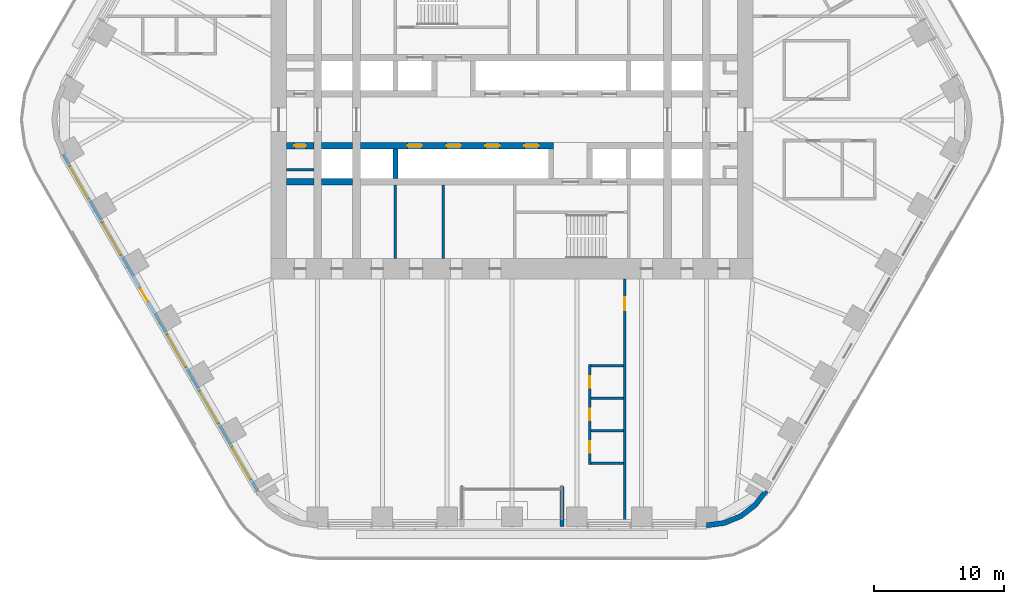
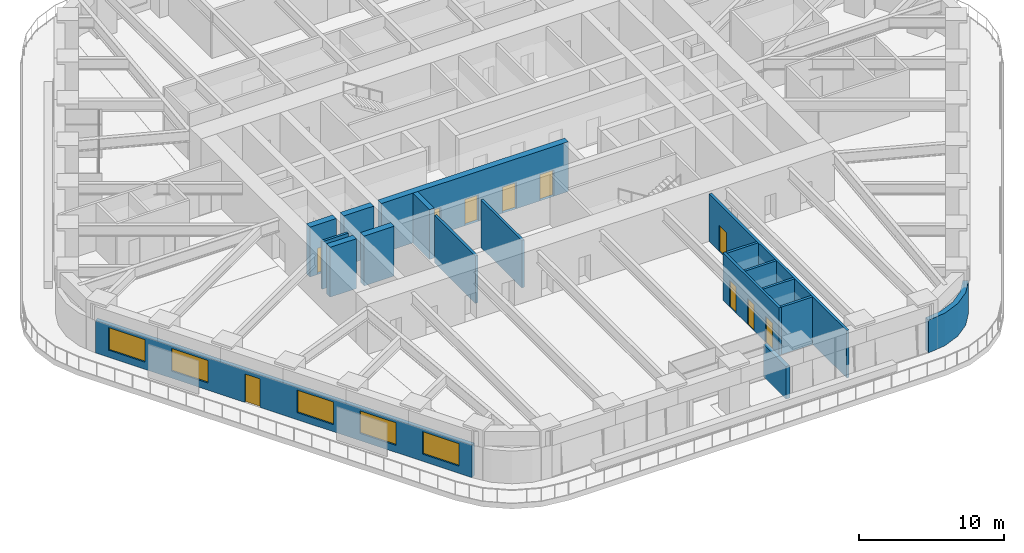
# One storey, part 17 of 24: 18 walls, 10 doors, 5 windows, 15 openings.
"""IFC4 building model written with IfcOpenShell, lengths in metres."""

from ifc_helpers import new_model, si_unit, direction, frame, frame_2d, origin, place, context, subcontext, project, spatial, polyline, rectangle, outline, extrude, material, layer, layer_set, type_object, element, fill, save


model = new_model("IFC4")

# Units and contexts
model_context = context("Model", 3, precision=1e-05, world=origin(), true_north=direction((0.0, 1.0)))
body_context = subcontext(model_context, "Body", "Model", "MODEL_VIEW")
ifc_project = project(units=[si_unit("LENGTHUNIT", "METRE"), si_unit("AREAUNIT", "SQUARE_METRE"), si_unit("VOLUMEUNIT", "CUBIC_METRE"), si_unit("PLANEANGLEUNIT", "RADIAN"), si_unit("MASSUNIT", "GRAM", prefix="KILO")], contexts=[model_context])

# Site, building, storey
site_placement = place(None, origin())
site = spatial("IfcSite", under=ifc_project, at=site_placement, CompositionType="ELEMENT")
building_placement = place(site_placement, origin())
building = spatial("IfcBuilding", under=site, at=building_placement, Name="Tarfa Lantern Tower", CompositionType="ELEMENT")
storey_placement = place(building_placement, frame((0.0, 0.0, 144.699951171875)))
storey = spatial("IfcBuildingStorey", under=building, at=storey_placement, Name="L32", CompositionType="ELEMENT", Elevation=144.699951171875)

# Wall, openings, door, windows
ifc_material_1 = material(Name="Limestone cladding on blockwork", Category="masonry")
ifc_layer_1 = layer(ifc_material_1, 0.300048828125)
ifc_layer_set_1 = layer_set([ifc_layer_1], Name="EW1 STONE-CLAD WALL 300")
wall_type_1 = type_object("IfcWallType", Name="EW1 STONE-CLAD WALL 300", PredefinedType="SOLIDWALL", material=ifc_layer_set_1)
wall_1_placement = place(storey_placement, frame((-34.655517578125, -2.675048828125, 0.0), z_axis=(0.0, 0.0, 1.0), x_axis=(0.500003084452, -0.866023622968, 0.0)))
wall_1 = element("IfcWall", 1, at=wall_1_placement, inside=storey, type_object=wall_type_1, Name="Stone wall SW", PredefinedType="SOLIDWALL", context=body_context, shape_type="SweptSolid", body=[
    extrude(rectangle(XDim=30.022216796875, YDim=0.300048828125, at=frame_2d((15.01123046875, 0.0))), origin(), (0.0, 0.0, 1.0), 2.75),
])
opening_1_placement = place(wall_1_placement, frame((1.0517578125, 0.0, 0.60009765625)))
opening_1 = element("IfcOpeningElement", 2, at=opening_1_placement, cuts=wall_1, Name="Opening W9", PredefinedType="OPENING", context=body_context, shape_type="SweptSolid", body=[
    extrude(rectangle(XDim=2.89990234375, YDim=1.89990234375, at=frame_2d((1.449951171875, 0.949951171875))), frame((0.0, 0.159912109375, 0.0), z_axis=(0.0, -1.0, 0.0), x_axis=(1.0, 0.0, 0.0)), (0.0, 0.0, 1.0), 0.320068359375),
])
opening_2_placement = place(wall_1_placement, frame((6.0556640625, 0.0, 0.60009765625)))
opening_2 = element("IfcOpeningElement", 3, at=opening_2_placement, cuts=wall_1, Name="Opening W9", PredefinedType="OPENING", context=body_context, shape_type="SweptSolid", body=[
    extrude(rectangle(XDim=2.89990234375, YDim=1.89990234375, at=frame_2d((1.449951171875, 0.949951171875))), frame((0.0, 0.159912109375, 0.0), z_axis=(0.0, -1.0, 0.0), x_axis=(1.0, 0.0, 0.0)), (0.0, 0.0, 1.0), 0.320068359375),
])
opening_3_placement = place(wall_1_placement, frame((11.9091796875, 0.0, 0.0)))
opening_3 = element("IfcOpeningElement", 4, at=opening_3_placement, cuts=wall_1, Name="Opening D51", PredefinedType="OPENING", context=body_context, shape_type="SweptSolid", body=[
    extrude(rectangle(XDim=1.199951171875, YDim=2.39990234375, at=frame_2d((0.60009765625, 1.199951171875))), frame((0.0, 0.159912109375, 0.0), z_axis=(0.0, -1.0, 0.0), x_axis=(1.0, 0.0, 0.0)), (0.0, 0.0, 1.0), 0.320068359375),
])
opening_4_placement = place(wall_1_placement, frame((16.06298828125, 0.0, 0.60009765625)))
opening_4 = element("IfcOpeningElement", 5, at=opening_4_placement, cuts=wall_1, Name="Opening W9", PredefinedType="OPENING", context=body_context, shape_type="SweptSolid", body=[
    extrude(rectangle(XDim=2.89990234375, YDim=1.89990234375, at=frame_2d((1.449951171875, 0.949951171875))), frame((0.0, 0.159912109375, 0.0), z_axis=(0.0, -1.0, 0.0), x_axis=(1.0, 0.0, 0.0)), (0.0, 0.0, 1.0), 0.320068359375),
])
opening_5_placement = place(wall_1_placement, frame((21.066650390625, 0.0, 0.60009765625)))
opening_5 = element("IfcOpeningElement", 6, at=opening_5_placement, cuts=wall_1, Name="Opening W9", PredefinedType="OPENING", context=body_context, shape_type="SweptSolid", body=[
    extrude(rectangle(XDim=2.89990234375, YDim=1.89990234375, at=frame_2d((1.449951171875, 0.949951171875))), frame((0.0, 0.159912109375, 0.0), z_axis=(0.0, -1.0, 0.0), x_axis=(1.0, 0.0, 0.0)), (0.0, 0.0, 1.0), 0.320068359375),
])
opening_6_placement = place(wall_1_placement, frame((26.0703125, 0.0, 0.60009765625)))
opening_6 = element("IfcOpeningElement", 7, at=opening_6_placement, cuts=wall_1, Name="Opening W9", PredefinedType="OPENING", context=body_context, shape_type="SweptSolid", body=[
    extrude(rectangle(XDim=2.89990234375, YDim=1.89990234375, at=frame_2d((1.449951171875, 0.949951171875))), frame((0.0, 0.159912109375, 0.0), z_axis=(0.0, -1.0, 0.0), x_axis=(1.0, 0.0, 0.0)), (0.0, 0.0, 1.0), 0.320068359375),
])
ifc_material_2 = material(Name="Aluminium framed glazed door", Category="aluminium")
door_type_1 = type_object("IfcDoorType", Name="BE3 BALCONY DOOR 1200x2400", OperationType="SINGLE_SWING_RIGHT", PredefinedType="DOOR", material=ifc_material_2)
door_1_placement = place(opening_3_placement, origin())
door_1 = element("IfcDoor", 8, at=door_1_placement, inside=storey, type_object=door_type_1, Name="Balcony door SW", OperationType="SINGLE_SWING_RIGHT", OverallHeight=2.39990234375, OverallWidth=1.199951171875, PredefinedType="DOOR", context=body_context, shape_type="SweptSolid", body=[
    extrude(rectangle(XDim=1.199951171875, YDim=2.39990234375, at=frame_2d((0.60009765625, 1.199951171875))), frame((0.0, 0.02490234375, 0.0), z_axis=(0.0, -1.0, 0.0), x_axis=(1.0, 0.0, 0.0)), (0.0, 0.0, 1.0), 0.050048828125),
])
fill(opening_3, door_1)
ifc_material_3 = material(Name="Aluminium frame, double glazed", Category="aluminium")
window_type = type_object("IfcWindowType", Name="W9 FULL-HEIGHT GLAZING 2900x1900", PartitioningType="SINGLE_PANEL", PredefinedType="WINDOW", material=ifc_material_3)
window_1_placement = place(opening_1_placement, origin())
window_1 = element("IfcWindow", 9, at=window_1_placement, inside=storey, type_object=window_type, Name="Window SW 1", OverallHeight=1.89990234375, OverallWidth=2.89990234375, PartitioningType="SINGLE_PANEL", PredefinedType="WINDOW", context=body_context, shape_type="SweptSolid", body=[
    extrude(rectangle(XDim=2.89990234375, YDim=1.89990234375, at=frame_2d((1.449951171875, 0.949951171875))), frame((0.0, 0.030029296875, 0.0), z_axis=(0.0, -1.0, 0.0), x_axis=(1.0, 0.0, 0.0)), (0.0, 0.0, 1.0), 0.06005859375),
])
fill(opening_1, window_1)
window_2_placement = place(opening_2_placement, origin())
window_2 = element("IfcWindow", 10, at=window_2_placement, inside=storey, type_object=window_type, Name="Window SW 2", OverallHeight=1.89990234375, OverallWidth=2.89990234375, PartitioningType="SINGLE_PANEL", PredefinedType="WINDOW", context=body_context, shape_type="SweptSolid", body=[
    extrude(rectangle(XDim=2.89990234375, YDim=1.89990234375, at=frame_2d((1.449951171875, 0.949951171875))), frame((0.0, 0.030029296875, 0.0), z_axis=(0.0, -1.0, 0.0), x_axis=(1.0, 0.0, 0.0)), (0.0, 0.0, 1.0), 0.06005859375),
])
fill(opening_2, window_2)
window_3_placement = place(opening_4_placement, origin())
window_3 = element("IfcWindow", 11, at=window_3_placement, inside=storey, type_object=window_type, Name="Window SW 4", OverallHeight=1.89990234375, OverallWidth=2.89990234375, PartitioningType="SINGLE_PANEL", PredefinedType="WINDOW", context=body_context, shape_type="SweptSolid", body=[
    extrude(rectangle(XDim=2.89990234375, YDim=1.89990234375, at=frame_2d((1.449951171875, 0.949951171875))), frame((0.0, 0.030029296875, 0.0), z_axis=(0.0, -1.0, 0.0), x_axis=(1.0, 0.0, 0.0)), (0.0, 0.0, 1.0), 0.06005859375),
])
fill(opening_4, window_3)
window_4_placement = place(opening_5_placement, origin())
window_4 = element("IfcWindow", 12, at=window_4_placement, inside=storey, type_object=window_type, Name="Window SW 5", OverallHeight=1.89990234375, OverallWidth=2.89990234375, PartitioningType="SINGLE_PANEL", PredefinedType="WINDOW", context=body_context, shape_type="SweptSolid", body=[
    extrude(rectangle(XDim=2.89990234375, YDim=1.89990234375, at=frame_2d((1.449951171875, 0.949951171875))), frame((0.0, 0.030029296875, 0.0), z_axis=(0.0, -1.0, 0.0), x_axis=(1.0, 0.0, 0.0)), (0.0, 0.0, 1.0), 0.06005859375),
])
fill(opening_5, window_4)
window_5_placement = place(opening_6_placement, origin())
window_5 = element("IfcWindow", 13, at=window_5_placement, inside=storey, type_object=window_type, Name="Window SW 6", OverallHeight=1.89990234375, OverallWidth=2.89990234375, PartitioningType="SINGLE_PANEL", PredefinedType="WINDOW", context=body_context, shape_type="SweptSolid", body=[
    extrude(rectangle(XDim=2.89990234375, YDim=1.89990234375, at=frame_2d((1.449951171875, 0.949951171875))), frame((0.0, 0.030029296875, 0.0), z_axis=(0.0, -1.0, 0.0), x_axis=(1.0, 0.0, 0.0)), (0.0, 0.0, 1.0), 0.06005859375),
])
fill(opening_6, window_5)

# Walls
wall_2_placement = place(storey_placement, frame((3.853759765625, -31.39990234375, 0.0), z_axis=(0.0, 0.0, 1.0), x_axis=(0.0, 1.0, 0.0)))
element("IfcWall", 14, at=wall_2_placement, inside=storey, type_object=wall_type_1, Name="Loggia return S 2", PredefinedType="SOLIDWALL", context=body_context, shape_type="SweptSolid", body=[
    extrude(rectangle(XDim=3.099853515625, YDim=0.300048828125, at=frame_2d((1.5498046875, 0.0))), origin(), (0.0, 0.0, 1.0), 2.75),
])
ifc_layer_2 = layer(ifc_material_1, 0.39990234375)
ifc_layer_set_2 = layer_set([ifc_layer_2], Name="EW2 CURVED STONE CORNER 400")
wall_type_2 = type_object("IfcWallType", Name="EW2 CURVED STONE CORNER 400", PredefinedType="SOLIDWALL", material=ifc_layer_set_2)
wall_3_placement = place(storey_placement, origin())
element("IfcWall", 15, at=wall_3_placement, inside=storey, type_object=wall_type_2, Name="Stone corner S-SE", PredefinedType="SOLIDWALL", context=body_context, shape_type="SweptSolid", body=[
    extrude(outline(polyline([(15.010986328125, -31.5), (16.4345703125, -31.3125), (17.760986328125, -30.76318359375), (18.900146484375, -29.88916015625), (19.774169921875, -28.75), (19.427734375, -28.550048828125), (18.617431640625, -29.606201171875), (17.56103515625, -30.416748046875), (16.3310546875, -30.92626953125), (15.010986328125, -31.10009765625), (15.010986328125, -31.5)])), origin(), (0.0, 0.0, 1.0), 2.75),
])
ifc_material_4 = material(Name="Concrete blockwork", Category="masonry")
ifc_layer_3 = layer(ifc_material_4, 0.199951171875)
ifc_layer_set_3 = layer_set([ifc_layer_3], Name="IW1 BLOCKWORK PARTITION 200 EI 120")
wall_type_3 = type_object("IfcWallType", Name="IW1 BLOCKWORK PARTITION 200 EI 120", PredefinedType="PARTITIONING", material=ifc_layer_set_3)
for number, where, z_axis, x_axis, name in (
    (16, (-9.0, -5.050048828125, 0.0), (0.0, 0.0, 1.0), (0.0, -1.0, 0.0), "Core partition"),
    (17, (-5.300048828125, -5.050048828125, 0.0), (0.0, 0.0, 1.0), (0.0, -1.0, 0.0), "Core partition"),
):
    element("IfcWall", number, at=place(storey_placement, frame(where, z_axis=z_axis, x_axis=x_axis)), inside=storey, type_object=wall_type_3, Name=name, PredefinedType="PARTITIONING", context=body_context, shape_type="SweptSolid", body=[
        extrude(rectangle(XDim=5.64990234375, YDim=0.199951171875, at=frame_2d((2.824951171875, 0.0))), origin(), (0.0, 0.0, 1.0), 4.0),
    ])
wall_4_placement = place(storey_placement, frame((-15.300048828125, -3.85009765625, 0.0), z_axis=(0.0, 0.0, 1.0), x_axis=(-1.0, 0.0, 0.0)))
element("IfcWall", 18, at=wall_4_placement, inside=storey, type_object=wall_type_3, Name="Core partition", PredefinedType="PARTITIONING", context=body_context, shape_type="SweptSolid", body=[
    extrude(rectangle(XDim=2.099853515625, YDim=0.199951171875, at=frame_2d((1.0498046875, 0.0))), origin(), (0.0, 0.0, 1.0), 4.0),
])

# Wall, opening, door
ifc_material_5 = material(Name="Gypsum board on steel studs", Category="steel")
ifc_layer_4 = layer(ifc_material_5, 0.2099609375)
ifc_layer_set_4 = layer_set([ifc_layer_4], Name="IW2 ACOUSTIC PARTITION 200")
wall_type_4 = type_object("IfcWallType", Name="IW2 ACOUSTIC PARTITION 200", PredefinedType="PARTITIONING", material=ifc_layer_set_4)
wall_5_placement = place(storey_placement, frame((8.699951171875, -12.300048828125, 0.0), z_axis=(0.0, 0.0, 1.0), x_axis=(0.0, -1.0, 0.0)))
wall_5 = element("IfcWall", 19, at=wall_5_placement, inside=storey, type_object=wall_type_4, Name="Partition", PredefinedType="PARTITIONING", context=body_context, shape_type="SweptSolid", body=[
    extrude(rectangle(XDim=19.0, YDim=0.199951171875, at=frame_2d((9.5, 0.0))), origin(), (0.0, 0.0, 1.0), 4.0),
])
opening_7_placement = place(wall_5_placement, frame((1.39990234375, 0.0, 0.0)))
opening_7 = element("IfcOpeningElement", 20, at=opening_7_placement, cuts=wall_5, Name="Opening D47", PredefinedType="OPENING", context=body_context, shape_type="SweptSolid", body=[
    extrude(rectangle(XDim=1.0, YDim=2.199951171875, at=frame_2d((0.5, 1.10009765625))), frame((0.0, 0.10986328125, 0.0), z_axis=(0.0, -1.0, 0.0), x_axis=(1.0, 0.0, 0.0)), (0.0, 0.0, 1.0), 0.219970703125),
])
ifc_material_6 = material(Name="Timber door", Category="wood")
door_type_2 = type_object("IfcDoorType", Name="DR1 ROOM DOOR 1000x2200", OperationType="SINGLE_SWING_LEFT", PredefinedType="DOOR", material=ifc_material_6)
door_2_placement = place(opening_7_placement, origin())
door_2 = element("IfcDoor", 21, at=door_2_placement, inside=storey, type_object=door_type_2, Name="Zone door", OperationType="SINGLE_SWING_RIGHT", OverallHeight=2.199951171875, OverallWidth=1.0, PredefinedType="DOOR", context=body_context, shape_type="SweptSolid", body=[
    extrude(rectangle(XDim=1.0, YDim=2.199951171875, at=frame_2d((0.5, 1.10009765625))), frame((0.0, 0.02490234375, 0.0), z_axis=(0.0, -1.0, 0.0), x_axis=(1.0, 0.0, 0.0)), (0.0, 0.0, 1.0), 0.050048828125),
])
fill(opening_7, door_2)

# Wall, openings, doors
wall_6_placement = place(storey_placement, frame((6.0, -18.89990234375, 0.0), z_axis=(0.0, 0.0, 1.0), x_axis=(0.0, -1.0, 0.0)))
wall_6 = element("IfcWall", 22, at=wall_6_placement, inside=storey, type_object=wall_type_4, Name="Partition", PredefinedType="PARTITIONING", context=body_context, shape_type="SweptSolid", body=[
    extrude(rectangle(XDim=7.7001953125, YDim=0.199951171875, at=frame_2d((3.85009765625, 0.0))), origin(), (0.0, 0.0, 1.0), 4.0),
])
opening_8_placement = place(wall_6_placement, frame((0.89990234375, 0.0, 0.0)))
opening_8 = element("IfcOpeningElement", 23, at=opening_8_placement, cuts=wall_6, Name="Opening D43", PredefinedType="OPENING", context=body_context, shape_type="SweptSolid", body=[
    extrude(rectangle(XDim=0.89990234375, YDim=2.199951171875, at=frame_2d((0.449951171875, 1.10009765625))), frame((0.0, 0.10986328125, 0.0), z_axis=(0.0, -1.0, 0.0), x_axis=(1.0, 0.0, 0.0)), (0.0, 0.0, 1.0), 0.219970703125),
])
opening_9_placement = place(wall_6_placement, frame((3.39990234375, 0.0, 0.0)))
opening_9 = element("IfcOpeningElement", 24, at=opening_9_placement, cuts=wall_6, Name="Opening D44", PredefinedType="OPENING", context=body_context, shape_type="SweptSolid", body=[
    extrude(rectangle(XDim=0.89990234375, YDim=2.199951171875, at=frame_2d((0.449951171875, 1.10009765625))), frame((0.0, 0.10986328125, 0.0), z_axis=(0.0, -1.0, 0.0), x_axis=(1.0, 0.0, 0.0)), (0.0, 0.0, 1.0), 0.219970703125),
])
opening_10_placement = place(wall_6_placement, frame((5.89990234375, 0.0, 0.0)))
opening_10 = element("IfcOpeningElement", 25, at=opening_10_placement, cuts=wall_6, Name="Opening D45", PredefinedType="OPENING", context=body_context, shape_type="SweptSolid", body=[
    extrude(rectangle(XDim=0.89990234375, YDim=2.199951171875, at=frame_2d((0.449951171875, 1.10009765625))), frame((0.0, 0.10986328125, 0.0), z_axis=(0.0, -1.0, 0.0), x_axis=(1.0, 0.0, 0.0)), (0.0, 0.0, 1.0), 0.219970703125),
])
door_type_3 = type_object("IfcDoorType", Name="DR3 ROOM DOOR 900x2200", OperationType="SINGLE_SWING_LEFT", PredefinedType="DOOR", material=ifc_material_6)
door_3_placement = place(opening_8_placement, origin())
door_3 = element("IfcDoor", 26, at=door_3_placement, inside=storey, type_object=door_type_3, Name="Focus room door", OperationType="SINGLE_SWING_RIGHT", OverallHeight=2.199951171875, OverallWidth=0.89990234375, PredefinedType="DOOR", context=body_context, shape_type="SweptSolid", body=[
    extrude(rectangle(XDim=0.89990234375, YDim=2.199951171875, at=frame_2d((0.449951171875, 1.10009765625))), frame((0.0, 0.02490234375, 0.0), z_axis=(0.0, -1.0, 0.0), x_axis=(1.0, 0.0, 0.0)), (0.0, 0.0, 1.0), 0.050048828125),
])
fill(opening_8, door_3)
door_4_placement = place(opening_9_placement, origin())
door_4 = element("IfcDoor", 27, at=door_4_placement, inside=storey, type_object=door_type_3, Name="Focus room door", OperationType="SINGLE_SWING_RIGHT", OverallHeight=2.199951171875, OverallWidth=0.89990234375, PredefinedType="DOOR", context=body_context, shape_type="SweptSolid", body=[
    extrude(rectangle(XDim=0.89990234375, YDim=2.199951171875, at=frame_2d((0.449951171875, 1.10009765625))), frame((0.0, 0.02490234375, 0.0), z_axis=(0.0, -1.0, 0.0), x_axis=(1.0, 0.0, 0.0)), (0.0, 0.0, 1.0), 0.050048828125),
])
fill(opening_9, door_4)
door_5_placement = place(opening_10_placement, origin())
door_5 = element("IfcDoor", 28, at=door_5_placement, inside=storey, type_object=door_type_3, Name="Focus room door", OperationType="SINGLE_SWING_LEFT", OverallHeight=2.199951171875, OverallWidth=0.89990234375, PredefinedType="DOOR", context=body_context, shape_type="SweptSolid", body=[
    extrude(rectangle(XDim=0.89990234375, YDim=2.199951171875, at=frame_2d((0.449951171875, 1.10009765625))), frame((0.0, 0.02490234375, 0.0), z_axis=(0.0, -1.0, 0.0), x_axis=(1.0, 0.0, 0.0)), (0.0, 0.0, 1.0), 0.050048828125),
])
fill(opening_10, door_5)

# Walls
for number, where, z_axis, x_axis, name in (
    (29, (8.60009765625, -19.0, 0.0), (0.0, 0.0, 1.0), (-1.0, 0.0, 0.0), "Partition"),
    (30, (8.60009765625, -21.5, 0.0), (0.0, 0.0, 1.0), (-1.0, 0.0, 0.0), "Partition"),
    (31, (8.60009765625, -24.0, 0.0), (0.0, 0.0, 1.0), (-1.0, 0.0, 0.0), "Partition"),
    (32, (8.60009765625, -26.5, 0.0), (0.0, 0.0, 1.0), (-1.0, 0.0, 0.0), "Partition"),
):
    element("IfcWall", number, at=place(storey_placement, frame(where, z_axis=z_axis, x_axis=x_axis)), inside=storey, type_object=wall_type_4, Name=name, PredefinedType="PARTITIONING", context=body_context, shape_type="SweptSolid", body=[
        extrude(rectangle(XDim=2.5, YDim=0.199951171875, at=frame_2d((1.25, 0.0))), origin(), (0.0, 0.0, 1.0), 4.0),
    ])

# Wall, openings, doors
ifc_material_7 = material(Name="Concrete C80/95", Category="concrete")
ifc_layer_5 = layer(ifc_material_7, 0.5)
ifc_layer_set_5 = layer_set([ifc_layer_5], Name="SW5 CORE WALL 500")
wall_type_5 = type_object("IfcWallType", Name="SW5 CORE WALL 500", PredefinedType="SHEAR", material=ifc_layer_set_5)
wall_7_placement = place(storey_placement, frame((3.199951171875, -2.0, 0.0), z_axis=(0.0, 0.0, 1.0), x_axis=(-1.0, 0.0, 0.0)))
wall_7 = element("IfcWall", 33, at=wall_7_placement, inside=storey, type_object=wall_type_5, Name="Core wall lobby east S", PredefinedType="SHEAR", context=body_context, shape_type="SweptSolid", body=[
    extrude(rectangle(XDim=14.89990234375, YDim=0.5, at=frame_2d((7.449951171875, 0.0))), origin(), (0.0, 0.0, 1.0), 4.199951171875),
])
opening_11_placement = place(wall_7_placement, frame((1.14990234375, 0.0, 0.0)))
opening_11 = element("IfcOpeningElement", 34, at=opening_11_placement, cuts=wall_7, Name="Opening LD07", PredefinedType="OPENING", context=body_context, shape_type="SweptSolid", body=[
    extrude(rectangle(XDim=1.10009765625, YDim=2.199951171875, at=frame_2d((0.550048828125, 1.10009765625))), frame((0.0, 0.260009765625, 0.0), z_axis=(0.0, -1.0, 0.0), x_axis=(1.0, 0.0, 0.0)), (0.0, 0.0, 1.0), 0.52001953125),
])
opening_12_placement = place(wall_7_placement, frame((4.14990234375, 0.0, 0.0)))
opening_12 = element("IfcOpeningElement", 35, at=opening_12_placement, cuts=wall_7, Name="Opening LD08", PredefinedType="OPENING", context=body_context, shape_type="SweptSolid", body=[
    extrude(rectangle(XDim=1.10009765625, YDim=2.199951171875, at=frame_2d((0.550048828125, 1.10009765625))), frame((0.0, 0.260009765625, 0.0), z_axis=(0.0, -1.0, 0.0), x_axis=(1.0, 0.0, 0.0)), (0.0, 0.0, 1.0), 0.52001953125),
])
opening_13_placement = place(wall_7_placement, frame((7.14990234375, 0.0, 0.0)))
opening_13 = element("IfcOpeningElement", 36, at=opening_13_placement, cuts=wall_7, Name="Opening LD09", PredefinedType="OPENING", context=body_context, shape_type="SweptSolid", body=[
    extrude(rectangle(XDim=1.10009765625, YDim=2.199951171875, at=frame_2d((0.550048828125, 1.10009765625))), frame((0.0, 0.260009765625, 0.0), z_axis=(0.0, -1.0, 0.0), x_axis=(1.0, 0.0, 0.0)), (0.0, 0.0, 1.0), 0.52001953125),
])
opening_14_placement = place(wall_7_placement, frame((10.14990234375, 0.0, 0.0)))
opening_14 = element("IfcOpeningElement", 37, at=opening_14_placement, cuts=wall_7, Name="Opening LD10", PredefinedType="OPENING", context=body_context, shape_type="SweptSolid", body=[
    extrude(rectangle(XDim=1.10009765625, YDim=2.199951171875, at=frame_2d((0.550048828125, 1.10009765625))), frame((0.0, 0.260009765625, 0.0), z_axis=(0.0, -1.0, 0.0), x_axis=(1.0, 0.0, 0.0)), (0.0, 0.0, 1.0), 0.52001953125),
])
ifc_material_8 = material(Name="Stainless steel lift door", Category="steel")
door_type_4 = type_object("IfcDoorType", Name="LD2 LIFT LANDING DOOR 1100x2200", OperationType="SLIDING_TO_LEFT", PredefinedType="DOOR", material=ifc_material_8)
door_6_placement = place(opening_11_placement, frame((1.10009765625, 0.0, 0.0), z_axis=(0.0, 0.0, 1.0), x_axis=(-1.0, 0.0, 0.0)))
door_6 = element("IfcDoor", 38, at=door_6_placement, inside=storey, type_object=door_type_4, Name="Landing door PB5", OperationType="SLIDING_TO_LEFT", OverallHeight=2.199951171875, OverallWidth=1.10009765625, PredefinedType="DOOR", context=body_context, shape_type="SweptSolid", body=[
    extrude(rectangle(XDim=1.10009765625, YDim=2.199951171875, at=frame_2d((0.550048828125, 1.10009765625))), frame((0.0, 0.02490234375, 0.0), z_axis=(0.0, -1.0, 0.0), x_axis=(1.0, 0.0, 0.0)), (0.0, 0.0, 1.0), 0.050048828125),
])
fill(opening_11, door_6)
door_7_placement = place(opening_12_placement, frame((1.10009765625, 0.0, 0.0), z_axis=(0.0, 0.0, 1.0), x_axis=(-1.0, 0.0, 0.0)))
door_7 = element("IfcDoor", 39, at=door_7_placement, inside=storey, type_object=door_type_4, Name="Landing door PB6", OperationType="SLIDING_TO_LEFT", OverallHeight=2.199951171875, OverallWidth=1.10009765625, PredefinedType="DOOR", context=body_context, shape_type="SweptSolid", body=[
    extrude(rectangle(XDim=1.10009765625, YDim=2.199951171875, at=frame_2d((0.550048828125, 1.10009765625))), frame((0.0, 0.02490234375, 0.0), z_axis=(0.0, -1.0, 0.0), x_axis=(1.0, 0.0, 0.0)), (0.0, 0.0, 1.0), 0.050048828125),
])
fill(opening_12, door_7)
door_8_placement = place(opening_13_placement, frame((1.10009765625, 0.0, 0.0), z_axis=(0.0, 0.0, 1.0), x_axis=(-1.0, 0.0, 0.0)))
door_8 = element("IfcDoor", 40, at=door_8_placement, inside=storey, type_object=door_type_4, Name="Landing door PB7", OperationType="SLIDING_TO_LEFT", OverallHeight=2.199951171875, OverallWidth=1.10009765625, PredefinedType="DOOR", context=body_context, shape_type="SweptSolid", body=[
    extrude(rectangle(XDim=1.10009765625, YDim=2.199951171875, at=frame_2d((0.550048828125, 1.10009765625))), frame((0.0, 0.02490234375, 0.0), z_axis=(0.0, -1.0, 0.0), x_axis=(1.0, 0.0, 0.0)), (0.0, 0.0, 1.0), 0.050048828125),
])
fill(opening_13, door_8)
door_9_placement = place(opening_14_placement, frame((1.10009765625, 0.0, 0.0), z_axis=(0.0, 0.0, 1.0), x_axis=(-1.0, 0.0, 0.0)))
door_9 = element("IfcDoor", 41, at=door_9_placement, inside=storey, type_object=door_type_4, Name="Landing door PB8", OperationType="SLIDING_TO_LEFT", OverallHeight=2.199951171875, OverallWidth=1.10009765625, PredefinedType="DOOR", context=body_context, shape_type="SweptSolid", body=[
    extrude(rectangle(XDim=1.10009765625, YDim=2.199951171875, at=frame_2d((0.550048828125, 1.10009765625))), frame((0.0, 0.02490234375, 0.0), z_axis=(0.0, -1.0, 0.0), x_axis=(1.0, 0.0, 0.0)), (0.0, 0.0, 1.0), 0.050048828125),
])
fill(opening_14, door_9)

# Wall
wall_8_placement = place(storey_placement, frame((-12.300048828125, -2.0, 0.0), z_axis=(0.0, 0.0, 1.0), x_axis=(-1.0, 0.0, 0.0)))
element("IfcWall", 42, at=wall_8_placement, inside=storey, type_object=wall_type_5, Name="Core wall lobby east S", PredefinedType="SHEAR", context=body_context, shape_type="SweptSolid", body=[
    extrude(rectangle(XDim=2.39990234375, YDim=0.5, at=frame_2d((1.199951171875, 0.0))), origin(), (0.0, 0.0, 1.0), 4.199951171875),
])

# Wall, opening, door
wall_9_placement = place(storey_placement, frame((-15.300048828125, -2.0, 0.0), z_axis=(0.0, 0.0, 1.0), x_axis=(-1.0, 0.0, 0.0)))
wall_9 = element("IfcWall", 43, at=wall_9_placement, inside=storey, type_object=wall_type_5, Name="Core wall lobby east S", PredefinedType="SHEAR", context=body_context, shape_type="SweptSolid", body=[
    extrude(rectangle(XDim=2.099853515625, YDim=0.5, at=frame_2d((1.0498046875, 0.0))), origin(), (0.0, 0.0, 1.0), 4.199951171875),
])
opening_15_placement = place(wall_9_placement, frame((0.60009765625, 0.0, 0.0)))
opening_15 = element("IfcOpeningElement", 44, at=opening_15_placement, cuts=wall_9, Name="Opening D18", PredefinedType="OPENING", context=body_context, shape_type="SweptSolid", body=[
    extrude(rectangle(XDim=0.89990234375, YDim=2.199951171875, at=frame_2d((0.449951171875, 1.10009765625))), frame((0.0, 0.260009765625, 0.0), z_axis=(0.0, -1.0, 0.0), x_axis=(1.0, 0.0, 0.0)), (0.0, 0.0, 1.0), 0.52001953125),
])
ifc_material_9 = material(Name="Steel fire door", Category="steel")
door_type_5 = type_object("IfcDoorType", Name="DF6 SERVICE ROOM DOOR 900x2200", OperationType="SINGLE_SWING_LEFT", PredefinedType="DOOR", material=ifc_material_9)
door_10_placement = place(opening_15_placement, origin())
door_10 = element("IfcDoor", 45, at=door_10_placement, inside=storey, type_object=door_type_5, Name="Service room door", OperationType="SINGLE_SWING_LEFT", OverallHeight=2.199951171875, OverallWidth=0.89990234375, PredefinedType="DOOR", context=body_context, shape_type="SweptSolid", body=[
    extrude(rectangle(XDim=0.89990234375, YDim=2.199951171875, at=frame_2d((0.449951171875, 1.10009765625))), frame((0.0, 0.02490234375, 0.0), z_axis=(0.0, -1.0, 0.0), x_axis=(1.0, 0.0, 0.0)), (0.0, 0.0, 1.0), 0.050048828125),
])
fill(opening_15, door_10)

# Walls
wall_10_placement = place(storey_placement, frame((-12.300048828125, -4.800048828125, 0.0), z_axis=(0.0, 0.0, 1.0), x_axis=(-1.0, 0.0, 0.0)))
element("IfcWall", 46, at=wall_10_placement, inside=storey, type_object=wall_type_5, Name="Core wall rear S", PredefinedType="SHEAR", context=body_context, shape_type="SweptSolid", body=[
    extrude(rectangle(XDim=2.39990234375, YDim=0.5, at=frame_2d((1.199951171875, 0.0))), origin(), (0.0, 0.0, 1.0), 4.199951171875),
])
wall_11_placement = place(storey_placement, frame((-15.300048828125, -4.800048828125, 0.0), z_axis=(0.0, 0.0, 1.0), x_axis=(-1.0, 0.0, 0.0)))
element("IfcWall", 47, at=wall_11_placement, inside=storey, type_object=wall_type_5, Name="Core wall rear S", PredefinedType="SHEAR", context=body_context, shape_type="SweptSolid", body=[
    extrude(rectangle(XDim=2.099853515625, YDim=0.5, at=frame_2d((1.0498046875, 0.0))), origin(), (0.0, 0.0, 1.0), 4.199951171875),
])
ifc_layer_6 = layer(ifc_material_7, 0.39990234375)
ifc_layer_set_6 = layer_set([ifc_layer_6], Name="SW6 CORE WALL 400")
wall_type_6 = type_object("IfcWallType", Name="SW6 CORE WALL 400", PredefinedType="SHEAR", material=ifc_layer_set_6)
wall_12_placement = place(storey_placement, frame((-9.0, -2.25, 0.0), z_axis=(0.0, 0.0, 1.0), x_axis=(0.0, -1.0, 0.0)))
element("IfcWall", 48, at=wall_12_placement, inside=storey, type_object=wall_type_6, Name="Core wall divider S", PredefinedType="SHEAR", context=body_context, shape_type="SweptSolid", body=[
    extrude(rectangle(XDim=2.300048828125, YDim=0.39990234375, at=frame_2d((1.14990234375, 0.0))), origin(), (0.0, 0.0, 1.0), 4.199951171875),
])

save(model, "model.ifc")
